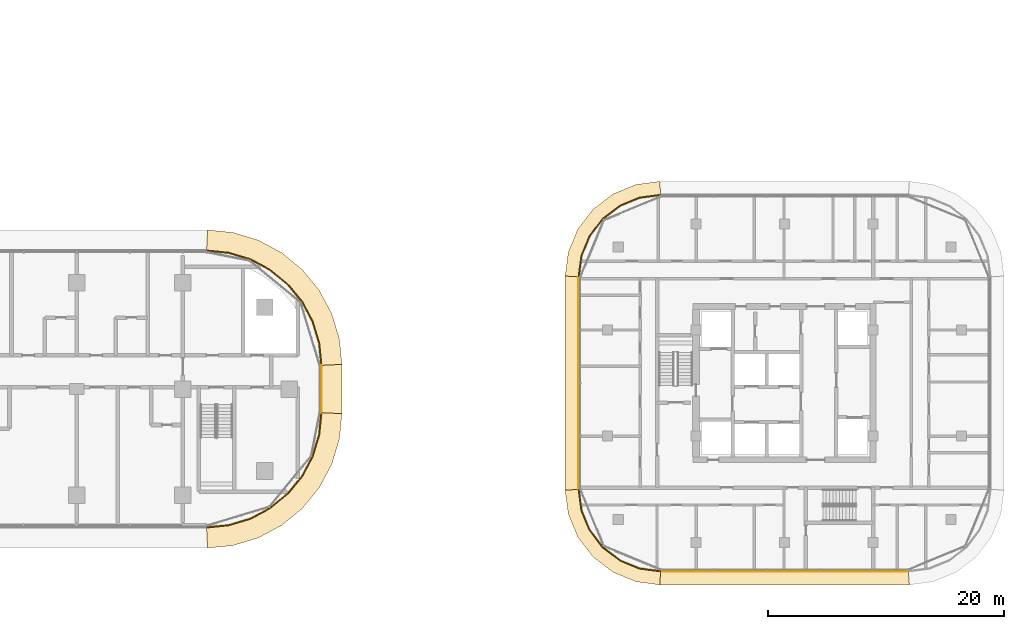
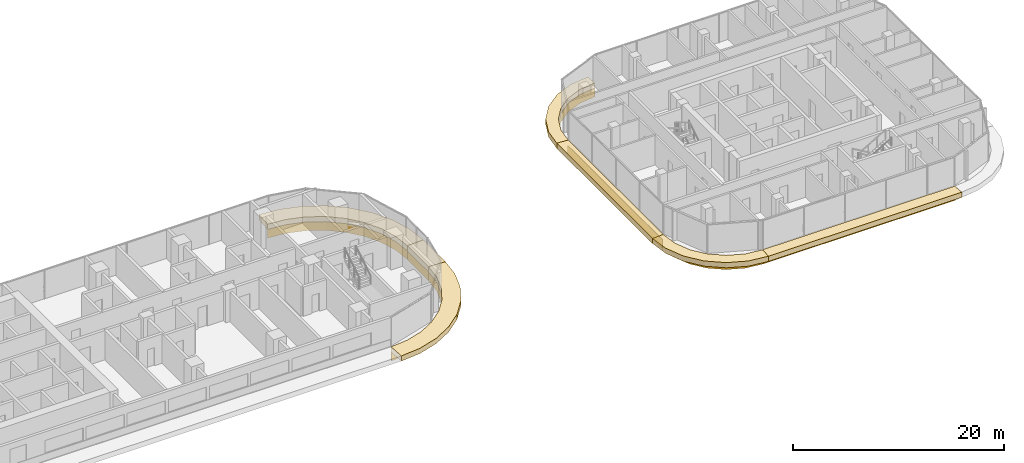
# One storey, part 34 of 36: 14 coverings.
"""IFC4 building model written with IfcOpenShell, lengths in metres."""

from ifc_helpers import new_model, si_unit, direction, frame, origin, place, context, subcontext, project, spatial, polyline, outline, extrude, material, layer, layer_set, type_object, element, save


model = new_model("IFC4")

# Units and contexts
model_context = context("Model", 3, precision=1e-05, world=origin(), true_north=direction((0.0, 1.0)))
body_context = subcontext(model_context, "Body", "Model", "MODEL_VIEW")
ifc_project = project(units=[si_unit("LENGTHUNIT", "METRE"), si_unit("AREAUNIT", "SQUARE_METRE"), si_unit("VOLUMEUNIT", "CUBIC_METRE"), si_unit("PLANEANGLEUNIT", "RADIAN"), si_unit("MASSUNIT", "GRAM", prefix="KILO")], contexts=[model_context])

# Site, building, storey
site_placement = place(None, origin())
site = spatial("IfcSite", under=ifc_project, at=site_placement, CompositionType="ELEMENT")
building_placement = place(site_placement, origin())
building = spatial("IfcBuilding", under=site, at=building_placement, Name="Ogive Portal Towers", CompositionType="ELEMENT")
storey_placement = place(building_placement, frame((0.0, 0.0, 63.10009765625)))
storey = spatial("IfcBuildingStorey", under=building, at=storey_placement, Name="L14", CompositionType="ELEMENT", Elevation=63.10009765625)

# Coverings
ifc_material = material(Name="Limestone cladding on lightweight block wall", Category="masonry")
ifc_layer_1 = layer(ifc_material, 0.080078125)
ifc_layer_set_1 = layer_set([ifc_layer_1], Name="STONE SPANDREL 80")
covering_type_1 = type_object("IfcCoveringType", Name="STONE SPANDREL 80", PredefinedType="CLADDING", material=ifc_layer_set_1)
covering_1_placement = place(storey_placement, frame((0.0, 0.0, -1.60009765625)))
element("IfcCovering", 1, at=covering_1_placement, inside=storey, type_object=covering_type_1, Name="Stone spandrel A1-F06", PredefinedType="CLADDING", context=body_context, shape_type="SweptSolid", body=[
    extrude(outline(polyline([(87.5, 18.820068359375), (89.388427734375, 19.006103515625), (91.204345703125, 19.556884765625), (92.8779296875, 20.451416015625), (94.3447265625, 21.6552734375), (95.548583984375, 23.1220703125), (96.443115234375, 24.795654296875), (96.993896484375, 26.611572265625), (97.179931640625, 28.5), (97.260009765625, 28.49609375), (97.07275390625, 26.595947265625), (96.517333984375, 24.764892578125), (95.615478515625, 23.077392578125), (94.401611328125, 21.598388671875), (92.922607421875, 20.384521484375), (91.235107421875, 19.482666015625), (89.404052734375, 18.92724609375), (87.50390625, 18.739990234375), (87.5, 18.820068359375)])), origin(), (0.0, 0.0, 1.0), 1.0),
])
covering_2_placement = place(storey_placement, frame((0.0, 0.0, -1.60009765625)))
element("IfcCovering", 2, at=covering_2_placement, inside=storey, type_object=covering_type_1, Name="Stone spandrel A1-F07", PredefinedType="CLADDING", context=body_context, shape_type="SweptSolid", body=[
    extrude(outline(polyline([(97.179931640625, 28.5), (97.179931640625, 32.5), (97.260009765625, 32.50390625), (97.260009765625, 28.49609375), (97.179931640625, 28.5)])), origin(), (0.0, 0.0, 1.0), 1.0),
])
covering_3_placement = place(storey_placement, frame((0.0, 0.0, -1.60009765625)))
element("IfcCovering", 3, at=covering_3_placement, inside=storey, type_object=covering_type_1, Name="Stone spandrel A1-F08", PredefinedType="CLADDING", context=body_context, shape_type="SweptSolid", body=[
    extrude(outline(polyline([(97.179931640625, 32.5), (96.993896484375, 34.388427734375), (96.443115234375, 36.204345703125), (95.548583984375, 37.8779296875), (94.3447265625, 39.3447265625), (92.8779296875, 40.548583984375), (91.204345703125, 41.443115234375), (89.388427734375, 41.993896484375), (87.5, 42.179931640625), (87.50390625, 42.260009765625), (89.404052734375, 42.07275390625), (91.235107421875, 41.517333984375), (92.922607421875, 40.615478515625), (94.401611328125, 39.401611328125), (95.615478515625, 37.922607421875), (96.517333984375, 36.235107421875), (97.07275390625, 34.404052734375), (97.260009765625, 32.50390625), (97.179931640625, 32.5)])), origin(), (0.0, 0.0, 1.0), 1.0),
])
covering_4_placement = place(storey_placement, frame((0.0, 0.0, -1.60009765625)))
element("IfcCovering", 4, at=covering_4_placement, inside=storey, type_object=covering_type_1, Name="Stone spandrel B1-F01", PredefinedType="CLADDING", context=body_context, shape_type="SweptSolid", body=[
    extrude(outline(polyline([(119.10009765625, 22.0), (119.335205078125, 20.214111328125), (120.0244140625, 18.550048828125), (121.120849609375, 17.120849609375), (122.550048828125, 16.0244140625), (124.214111328125, 15.335205078125), (126.0, 15.10009765625), (125.994873046875, 15.02001953125), (124.193359375, 15.257080078125), (122.509765625, 15.95458984375), (121.06396484375, 17.06396484375), (119.95458984375, 18.509765625), (119.257080078125, 20.193359375), (119.02001953125, 21.994873046875), (119.10009765625, 22.0)])), origin(), (0.0, 0.0, 1.0), 1.0),
])
covering_5_placement = place(storey_placement, frame((0.0, 0.0, -1.60009765625)))
element("IfcCovering", 5, at=covering_5_placement, inside=storey, type_object=covering_type_1, Name="Stone spandrel B1-F02", PredefinedType="CLADDING", context=body_context, shape_type="SweptSolid", body=[
    extrude(outline(polyline([(126.0, 15.10009765625), (147.0, 15.10009765625), (147.005126953125, 15.02001953125), (125.994873046875, 15.02001953125), (126.0, 15.10009765625)])), origin(), (0.0, 0.0, 1.0), 1.0),
])
covering_6_placement = place(storey_placement, frame((0.0, 0.0, -1.60009765625)))
element("IfcCovering", 6, at=covering_6_placement, inside=storey, type_object=covering_type_1, Name="Stone spandrel B1-F07", PredefinedType="CLADDING", context=body_context, shape_type="SweptSolid", body=[
    extrude(outline(polyline([(126.0, 46.89990234375), (124.214111328125, 46.664794921875), (122.550048828125, 45.9755859375), (121.120849609375, 44.879150390625), (120.0244140625, 43.449951171875), (119.335205078125, 41.785888671875), (119.10009765625, 40.0), (119.02001953125, 40.005126953125), (119.257080078125, 41.806640625), (119.95458984375, 43.490234375), (121.06396484375, 44.93603515625), (122.509765625, 46.04541015625), (124.193359375, 46.742919921875), (125.994873046875, 46.97998046875), (126.0, 46.89990234375)])), origin(), (0.0, 0.0, 1.0), 1.0),
])
covering_7_placement = place(storey_placement, frame((0.0, 0.0, -1.60009765625)))
element("IfcCovering", 7, at=covering_7_placement, inside=storey, type_object=covering_type_1, Name="Stone spandrel B1-F08", PredefinedType="CLADDING", context=body_context, shape_type="SweptSolid", body=[
    extrude(outline(polyline([(119.10009765625, 40.0), (119.10009765625, 22.0), (119.02001953125, 21.994873046875), (119.02001953125, 40.005126953125), (119.10009765625, 40.0)])), origin(), (0.0, 0.0, 1.0), 1.0),
])
ifc_layer_2 = layer(ifc_material, 0.60009765625)
ifc_layer_set_2 = layer_set([ifc_layer_2], Name="SUNSHADE LIP 600")
covering_type_2 = type_object("IfcCoveringType", Name="SUNSHADE LIP 600", PredefinedType="CLADDING", material=ifc_layer_set_2)
covering_8_placement = place(storey_placement, frame((0.0, 0.0, -0.60009765625)))
element("IfcCovering", 8, at=covering_8_placement, inside=storey, type_object=covering_type_2, Name="Sunshade lip A1-F06", PredefinedType="CLADDING", context=body_context, shape_type="SweptSolid", body=[
    extrude(outline(polyline([(87.5, 18.820068359375), (89.388427734375, 19.006103515625), (91.204345703125, 19.556884765625), (92.8779296875, 20.451416015625), (94.3447265625, 21.6552734375), (95.548583984375, 23.1220703125), (96.443115234375, 24.795654296875), (96.993896484375, 26.611572265625), (97.179931640625, 28.5), (98.97998046875, 28.41162109375), (98.76806640625, 26.258544921875), (98.1142578125, 24.103515625), (97.052490234375, 22.1171875), (95.623779296875, 20.376220703125), (93.8828125, 18.947509765625), (91.896484375, 17.8857421875), (89.741455078125, 17.23193359375), (87.58837890625, 17.02001953125), (87.5, 18.820068359375)])), origin(), (0.0, 0.0, 1.0), 0.60009765625),
])
covering_9_placement = place(storey_placement, frame((0.0, 0.0, -0.60009765625)))
element("IfcCovering", 9, at=covering_9_placement, inside=storey, type_object=covering_type_2, Name="Sunshade lip A1-F07", PredefinedType="CLADDING", context=body_context, shape_type="SweptSolid", body=[
    extrude(outline(polyline([(97.179931640625, 28.5), (97.179931640625, 32.5), (98.97998046875, 32.58837890625), (98.97998046875, 28.41162109375), (97.179931640625, 28.5)])), origin(), (0.0, 0.0, 1.0), 0.60009765625),
])
covering_10_placement = place(storey_placement, frame((0.0, 0.0, -0.60009765625)))
element("IfcCovering", 10, at=covering_10_placement, inside=storey, type_object=covering_type_2, Name="Sunshade lip A1-F08", PredefinedType="CLADDING", context=body_context, shape_type="SweptSolid", body=[
    extrude(outline(polyline([(97.179931640625, 32.5), (96.993896484375, 34.388427734375), (96.443115234375, 36.204345703125), (95.548583984375, 37.8779296875), (94.3447265625, 39.3447265625), (92.8779296875, 40.548583984375), (91.204345703125, 41.443115234375), (89.388427734375, 41.993896484375), (87.5, 42.179931640625), (87.58837890625, 43.97998046875), (89.741455078125, 43.76806640625), (91.896484375, 43.1142578125), (93.8828125, 42.052490234375), (95.623779296875, 40.623779296875), (97.052490234375, 38.8828125), (98.1142578125, 36.896484375), (98.76806640625, 34.741455078125), (98.97998046875, 32.58837890625), (97.179931640625, 32.5)])), origin(), (0.0, 0.0, 1.0), 0.60009765625),
])
covering_11_placement = place(storey_placement, frame((0.0, 0.0, -0.60009765625)))
element("IfcCovering", 11, at=covering_11_placement, inside=storey, type_object=covering_type_2, Name="Sunshade lip B1-F01", PredefinedType="CLADDING", context=body_context, shape_type="SweptSolid", body=[
    extrude(outline(polyline([(119.10009765625, 22.0), (119.335205078125, 20.214111328125), (120.0244140625, 18.550048828125), (121.120849609375, 17.120849609375), (122.550048828125, 16.0244140625), (124.214111328125, 15.335205078125), (126.0, 15.10009765625), (125.92138671875, 13.89990234375), (123.90087890625, 14.166015625), (121.94482421875, 14.976318359375), (120.26513671875, 16.26513671875), (118.976318359375, 17.94482421875), (118.166015625, 19.90087890625), (117.89990234375, 21.92138671875), (119.10009765625, 22.0)])), origin(), (0.0, 0.0, 1.0), 0.60009765625),
])
covering_12_placement = place(storey_placement, frame((0.0, 0.0, -0.60009765625)))
element("IfcCovering", 12, at=covering_12_placement, inside=storey, type_object=covering_type_2, Name="Sunshade lip B1-F02", PredefinedType="CLADDING", context=body_context, shape_type="SweptSolid", body=[
    extrude(outline(polyline([(126.0, 15.10009765625), (147.0, 15.10009765625), (147.07861328125, 13.89990234375), (125.92138671875, 13.89990234375), (126.0, 15.10009765625)])), origin(), (0.0, 0.0, 1.0), 0.60009765625),
])
covering_13_placement = place(storey_placement, frame((0.0, 0.0, -0.60009765625)))
element("IfcCovering", 13, at=covering_13_placement, inside=storey, type_object=covering_type_2, Name="Sunshade lip B1-F07", PredefinedType="CLADDING", context=body_context, shape_type="SweptSolid", body=[
    extrude(outline(polyline([(126.0, 46.89990234375), (124.214111328125, 46.664794921875), (122.550048828125, 45.9755859375), (121.120849609375, 44.879150390625), (120.0244140625, 43.449951171875), (119.335205078125, 41.785888671875), (119.10009765625, 40.0), (117.89990234375, 40.07861328125), (118.166015625, 42.09912109375), (118.976318359375, 44.05517578125), (120.26513671875, 45.73486328125), (121.94482421875, 47.023681640625), (123.90087890625, 47.833984375), (125.92138671875, 48.10009765625), (126.0, 46.89990234375)])), origin(), (0.0, 0.0, 1.0), 0.60009765625),
])
covering_14_placement = place(storey_placement, frame((0.0, 0.0, -0.60009765625)))
element("IfcCovering", 14, at=covering_14_placement, inside=storey, type_object=covering_type_2, Name="Sunshade lip B1-F08", PredefinedType="CLADDING", context=body_context, shape_type="SweptSolid", body=[
    extrude(outline(polyline([(119.10009765625, 40.0), (119.10009765625, 22.0), (117.89990234375, 21.92138671875), (117.89990234375, 40.07861328125), (119.10009765625, 40.0)])), origin(), (0.0, 0.0, 1.0), 0.60009765625),
])

save(model, "model.ifc")
